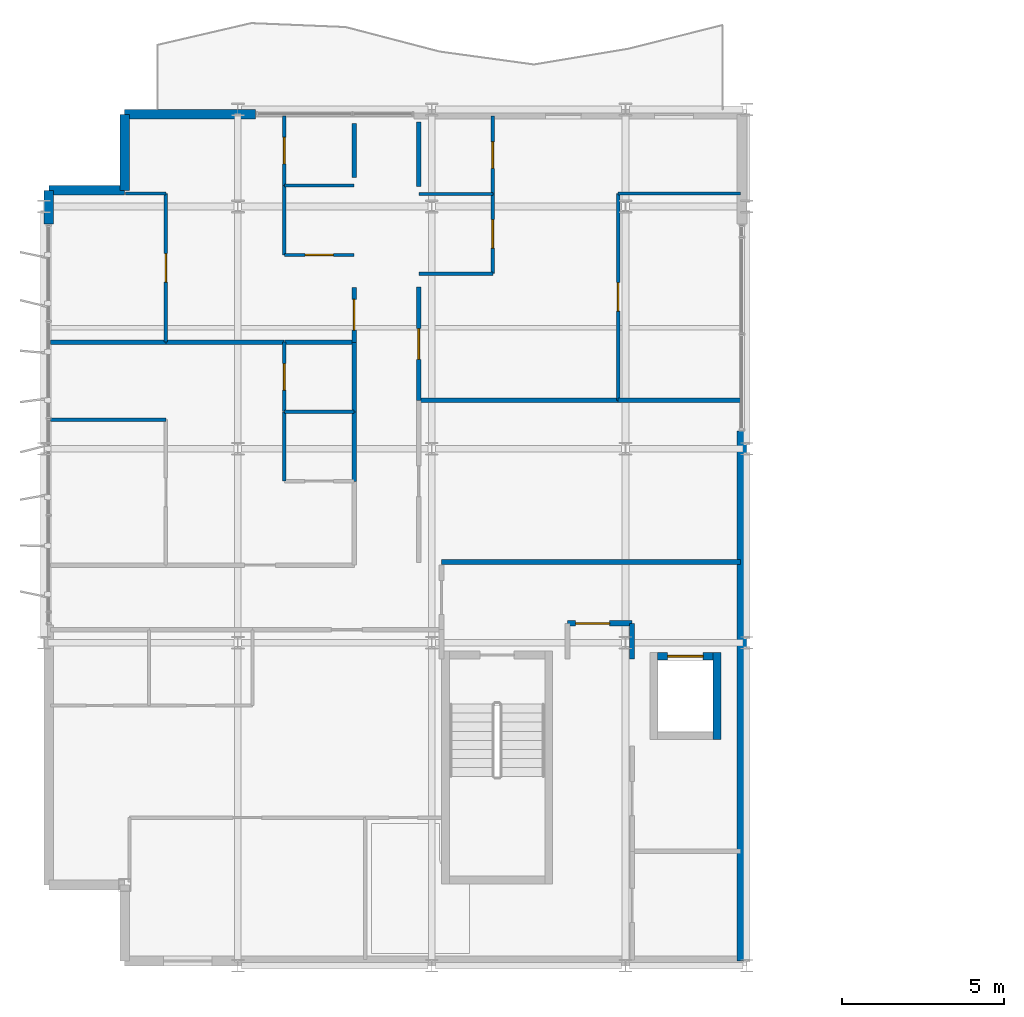
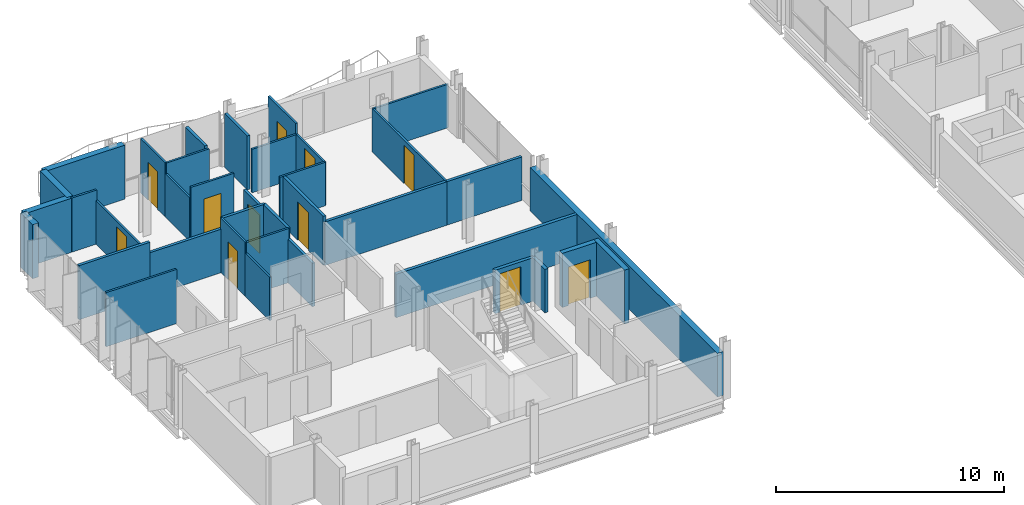
# One storey, part 22 of 29: 37 walls, 11 doors, 11 openings.
"""IFC4 building model written with IfcOpenShell, lengths in metres."""

from ifc_helpers import new_model, si_unit, direction, frame, frame_2d, origin, place, context, subcontext, project, spatial, rectangle, extrude, material, layer, layer_set, type_object, element, fill, save


model = new_model("IFC4")

# Units and contexts
model_context = context("Model", 3, precision=1e-05, world=origin(), true_north=direction((0.0, 1.0)))
body_context = subcontext(model_context, "Body", "Model", "MODEL_VIEW")
ifc_project = project(units=[si_unit("LENGTHUNIT", "METRE"), si_unit("AREAUNIT", "SQUARE_METRE"), si_unit("VOLUMEUNIT", "CUBIC_METRE"), si_unit("PLANEANGLEUNIT", "RADIAN"), si_unit("MASSUNIT", "GRAM", prefix="KILO")], contexts=[model_context])

# Site, building, storey
site_placement = place(None, origin())
site = spatial("IfcSite", under=ifc_project, at=site_placement, CompositionType="ELEMENT")
building_placement = place(site_placement, origin())
building = spatial("IfcBuilding", under=site, at=building_placement, Name="Brevholm Reach", CompositionType="ELEMENT")
storey_placement = place(building_placement, frame((0.0, 0.0, 198.699951171875)))
storey = spatial("IfcBuildingStorey", under=building, at=storey_placement, Name="L60", CompositionType="ELEMENT", Elevation=198.699951171875)

# Wall
ifc_material_1 = material(Name="Concrete C45/55", Category="concrete")
ifc_layer_1 = layer(ifc_material_1, 0.239990234375)
ifc_layer_set_1 = layer_set([ifc_layer_1], Name="Concrete C45/55")
wall_type_1 = type_object("IfcWallType", Name="WAL-COR-240", PredefinedType="SHEAR", material=ifc_layer_set_1)
wall_1_placement = place(storey_placement, frame((20.830078125, 7.0, 0.0), z_axis=(0.0, 0.0, 1.0), x_axis=(0.0, 1.0, 0.0)))
element("IfcWall", 1, at=wall_1_placement, inside=storey, type_object=wall_type_1, Name="L60 Lift FFL-1 Shaft Wall E", PredefinedType="SHEAR", context=body_context, shape_type="SweptSolid", body=[
    extrude(rectangle(XDim=2.699951171875, YDim=0.239990234375, at=frame_2d((1.35009765625, 0.0))), origin(), (0.0, 0.0, 1.0), 2.89013671875),
])

# Wall, opening, door
wall_2_placement = place(storey_placement, frame((18.989990234375, 9.580078125, 0.0), z_axis=(0.0, 0.0, 1.0), x_axis=(1.0, 0.0, 0.0)))
wall_2 = element("IfcWall", 2, at=wall_2_placement, inside=storey, type_object=wall_type_1, Name="L60 Lift FFL-1 Shaft Wall N", PredefinedType="SHEAR", context=body_context, shape_type="SweptSolid", body=[
    extrude(rectangle(XDim=1.719970703125, YDim=0.239990234375, at=frame_2d((0.85986328125, 0.0))), origin(), (0.0, 0.0, 1.0), 2.89013671875),
])
opening_1_placement = place(wall_2_placement, frame((0.31005859375, 0.0, 0.0)))
opening_1 = element("IfcOpeningElement", 3, at=opening_1_placement, cuts=wall_2, Name="Opening LD-FFL-1", PredefinedType="OPENING", context=body_context, shape_type="SweptSolid", body=[
    extrude(rectangle(XDim=1.10009765625, YDim=2.06005859375, at=frame_2d((0.550048828125, 1.030029296875))), frame((0.0, 0.1298828125, 0.0), z_axis=(0.0, -1.0, 0.0), x_axis=(1.0, 0.0, 0.0)), (0.0, 0.0, 1.0), 0.260009765625),
])
ifc_material_2 = material(Name="Brushed Stainless Steel Fire-Rated Sliding Lift Door", Category="steel")
door_type_1 = type_object("IfcDoorType", Name="DOR-LFT-1100", OperationType="NOTDEFINED", PredefinedType="DOOR", material=ifc_material_2)
door_1_placement = place(opening_1_placement, origin())
door_1 = element("IfcDoor", 4, at=door_1_placement, inside=storey, type_object=door_type_1, Name="L60 Lift FFL-1 Sliding Landing Door", OperationType="SLIDING_TO_RIGHT", OverallHeight=2.06005859375, OverallWidth=1.10009765625, PredefinedType="DOOR", context=body_context, shape_type="SweptSolid", body=[
    extrude(rectangle(XDim=1.10009765625, YDim=2.06005859375, at=frame_2d((0.550048828125, 1.030029296875))), frame((0.0, 0.02490234375, 0.0), z_axis=(0.0, -1.0, 0.0), x_axis=(1.0, 0.0, 0.0)), (0.0, 0.0, 1.0), 0.050048828125),
])
fill(opening_1, door_1)

# Walls
ifc_material_3 = material(Name="Concrete C40/50", Category="concrete")
ifc_layer_2 = layer(ifc_material_3, 0.300048828125)
ifc_layer_set_2 = layer_set([ifc_layer_2], Name="Concrete C40/50")
wall_type_2 = type_object("IfcWallType", Name="WAL-EXT-300", PredefinedType="STANDARD", material=ifc_layer_set_2)
for number, where, z_axis, x_axis, name in (
    (5, (2.5, 26.35009765625, 0.0), (0.0, 0.0, 1.0), (0.0, -1.0, 0.0), "L60 Facade Wall WAL-L60-WW-CNW1"),
    (6, (2.5, 24.0, 0.0), (0.0, 0.0, 1.0), (-1.0, 0.0, 0.0), "L60 Facade Wall WAL-L60-WW-CNW2"),
):
    element("IfcWall", number, at=place(storey_placement, frame(where, z_axis=z_axis, x_axis=x_axis)), inside=storey, type_object=wall_type_2, Name=name, PredefinedType="STANDARD", context=body_context, shape_type="SweptSolid", body=[
        extrude(rectangle(XDim=2.35009765625, YDim=0.300048828125, at=frame_2d((1.175048828125, 0.0))), origin(), (0.0, 0.0, 1.0), 2.89013671875),
    ])
wall_3_placement = place(storey_placement, frame((0.14990234375, 24.0, 0.0), z_axis=(0.0, 0.0, 1.0), x_axis=(0.0, -1.0, 0.0)))
element("IfcWall", 7, at=wall_3_placement, inside=storey, type_object=wall_type_2, Name="L60 Facade Wall WAL-L60-WW-WN", PredefinedType="STANDARD", context=body_context, shape_type="SweptSolid", body=[
    extrude(rectangle(XDim=1.050048828125, YDim=0.300048828125, at=frame_2d((0.52490234375, 0.0))), origin(), (0.0, 0.0, 1.0), 2.89013671875),
])
wall_4_placement = place(storey_placement, frame((2.5, 26.35009765625, 0.0), z_axis=(0.0, 0.0, 1.0), x_axis=(1.0, 0.0, 0.0)))
element("IfcWall", 8, at=wall_4_placement, inside=storey, type_object=wall_type_2, Name="L60 Facade Wall WAL-L60-WW-NP1", PredefinedType="STANDARD", context=body_context, shape_type="SweptSolid", body=[
    extrude(rectangle(XDim=4.050048828125, YDim=0.300048828125, at=frame_2d((2.02490234375, 0.0))), origin(), (0.0, 0.0, 1.0), 2.89013671875),
])
wall_5_placement = place(storey_placement, frame((21.60009765625, 0.14990234375, 0.0), z_axis=(0.0, 0.0, 1.0), x_axis=(0.0, 1.0, 0.0)))
element("IfcWall", 9, at=wall_5_placement, inside=storey, type_object=wall_type_2, Name="L60 Facade Wall WAL-L60-VP-WS", PredefinedType="STANDARD", context=body_context, shape_type="SweptSolid", body=[
    extrude(rectangle(XDim=16.400146484375, YDim=0.300048828125, at=frame_2d((8.2001953125, 0.0))), origin(), (0.0, 0.0, 1.0), 2.33203125),
])
ifc_material_4 = material(Name="Moisture-Resistant Acoustic Gypsum Stud Partition 100 mm", Category="gypsum")
ifc_layer_3 = layer(ifc_material_4, 0.10009765625)
ifc_layer_set_3 = layer_set([ifc_layer_3], Name="Moisture-Resistant Acoustic Gypsum Stud Partition 100 mm")
wall_type_3 = type_object("IfcWallType", Name="WAL-PRT-100", PredefinedType="PARTITIONING", material=ifc_layer_set_3)
wall_6_placement = place(storey_placement, frame((7.43798828125, 17.14990234375, 0.0), z_axis=(0.0, 0.0, 1.0), x_axis=(1.0, 0.0, 0.0)))
element("IfcWall", 10, at=wall_6_placement, inside=storey, type_object=wall_type_3, Name="L60 Internal Partition 047", PredefinedType="PARTITIONING", context=body_context, shape_type="SweptSolid", body=[
    extrude(rectangle(XDim=2.157958984375, YDim=0.10009765625, at=frame_2d((1.0791015625, 0.0))), origin(), (0.0, 0.0, 1.0), 2.89013671875),
])

# Wall, opening, door
wall_7_placement = place(storey_placement, frame((7.43798828125, 17.14990234375, 0.0), z_axis=(0.0, 0.0, 1.0), x_axis=(0.0, 1.0, 0.0)))
wall_7 = element("IfcWall", 11, at=wall_7_placement, inside=storey, type_object=wall_type_3, Name="L60 Internal Partition 048", PredefinedType="PARTITIONING", context=body_context, shape_type="SweptSolid", body=[
    extrude(rectangle(XDim=2.150146484375, YDim=0.10009765625, at=frame_2d((1.0751953125, 0.0))), origin(), (0.0, 0.0, 1.0), 2.89013671875),
])
opening_2_placement = place(wall_7_placement, frame((0.6650390625, 0.0, 0.0)))
opening_2 = element("IfcOpeningElement", 12, at=opening_2_placement, cuts=wall_7, Name="Opening ID-03", PredefinedType="OPENING", context=body_context, shape_type="SweptSolid", body=[
    extrude(rectangle(XDim=0.820068359375, YDim=2.02001953125, at=frame_2d((0.41015625, 1.010009765625))), frame((0.0, 0.06005859375, 0.0), z_axis=(0.0, -1.0, 0.0), x_axis=(1.0, 0.0, 0.0)), (0.0, 0.0, 1.0), 0.1201171875),
])
ifc_material_5 = material(Name="Moisture-Resistant Painted Timber Internal Bathroom Door", Category="wood")
door_type_2 = type_object("IfcDoorType", Name="DOR-BATH-820", OperationType="NOTDEFINED", PredefinedType="DOOR", material=ifc_material_5)
door_2_placement = place(opening_2_placement, origin())
door_2 = element("IfcDoor", 13, at=door_2_placement, inside=storey, type_object=door_type_2, Name="L60 Internal Door 023", OperationType="SINGLE_SWING_RIGHT", OverallHeight=2.02001953125, OverallWidth=0.820068359375, PredefinedType="DOOR", context=body_context, shape_type="SweptSolid", body=[
    extrude(rectangle(XDim=0.820068359375, YDim=2.02001953125, at=frame_2d((0.41015625, 1.010009765625))), frame((0.0, 0.02490234375, 0.0), z_axis=(0.0, -1.0, 0.0), x_axis=(1.0, 0.0, 0.0)), (0.0, 0.0, 1.0), 0.050048828125),
])
fill(opening_2, door_2)

# Walls
wall_8_placement = place(storey_placement, frame((7.43798828125, 15.0, 0.0), z_axis=(0.0, 0.0, 1.0), x_axis=(0.0, 1.0, 0.0)))
element("IfcWall", 14, at=wall_8_placement, inside=storey, type_object=wall_type_3, Name="L60 Internal Partition 051", PredefinedType="PARTITIONING", context=body_context, shape_type="SweptSolid", body=[
    extrude(rectangle(XDim=2.14599609375, YDim=0.10009765625, at=frame_2d((1.072998046875, 0.0))), origin(), (0.0, 0.0, 1.0), 2.325439453125),
])
wall_9_placement = place(storey_placement, frame((0.199951171875, 16.89990234375, 0.0), z_axis=(0.0, 0.0, 1.0), x_axis=(1.0, 0.0, 0.0)))
element("IfcWall", 15, at=wall_9_placement, inside=storey, type_object=wall_type_3, Name="L60 Internal Partition 053", PredefinedType="PARTITIONING", context=body_context, shape_type="SweptSolid", body=[
    extrude(rectangle(XDim=3.572021484375, YDim=0.10009765625, at=frame_2d((1.7861328125, 0.0))), origin(), (0.0, 0.0, 1.0), 2.89013671875),
])
wall_10_placement = place(storey_placement, frame((7.43798828125, 24.14990234375, 0.0), z_axis=(0.0, 0.0, 1.0), x_axis=(1.0, 0.0, 0.0)))
element("IfcWall", 16, at=wall_10_placement, inside=storey, type_object=wall_type_3, Name="L60 Internal Partition 056", PredefinedType="PARTITIONING", context=body_context, shape_type="SweptSolid", body=[
    extrude(rectangle(XDim=2.162109375, YDim=0.10009765625, at=frame_2d((1.0810546875, 0.0))), origin(), (0.0, 0.0, 1.0), 2.89013671875),
])

# Wall, opening, door
wall_11_placement = place(storey_placement, frame((7.43798828125, 24.14990234375, 0.0), z_axis=(0.0, 0.0, 1.0), x_axis=(0.0, 1.0, 0.0)))
wall_11 = element("IfcWall", 17, at=wall_11_placement, inside=storey, type_object=wall_type_3, Name="L60 Internal Partition 057", PredefinedType="PARTITIONING", context=body_context, shape_type="SweptSolid", body=[
    extrude(rectangle(XDim=2.150146484375, YDim=0.10009765625, at=frame_2d((1.0751953125, 0.0))), origin(), (0.0, 0.0, 1.0), 2.89013671875),
])
opening_3_placement = place(wall_11_placement, frame((0.6650390625, 0.0, 0.0)))
opening_3 = element("IfcOpeningElement", 18, at=opening_3_placement, cuts=wall_11, Name="Opening ID-03", PredefinedType="OPENING", context=body_context, shape_type="SweptSolid", body=[
    extrude(rectangle(XDim=0.820068359375, YDim=2.02001953125, at=frame_2d((0.41015625, 1.010009765625))), frame((0.0, 0.06005859375, 0.0), z_axis=(0.0, -1.0, 0.0), x_axis=(1.0, 0.0, 0.0)), (0.0, 0.0, 1.0), 0.1201171875),
])
door_3_placement = place(opening_3_placement, origin())
door_3 = element("IfcDoor", 19, at=door_3_placement, inside=storey, type_object=door_type_2, Name="L60 Internal Door 026", OperationType="SINGLE_SWING_LEFT", OverallHeight=2.02001953125, OverallWidth=0.820068359375, PredefinedType="DOOR", context=body_context, shape_type="SweptSolid", body=[
    extrude(rectangle(XDim=0.820068359375, YDim=2.02001953125, at=frame_2d((0.41015625, 1.010009765625))), frame((0.0, 0.02490234375, 0.0), z_axis=(0.0, -1.0, 0.0), x_axis=(1.0, 0.0, 0.0)), (0.0, 0.0, 1.0), 0.050048828125),
])
fill(opening_3, door_3)

wall_12_placement = place(storey_placement, frame((7.43798828125, 22.0, 0.0), z_axis=(0.0, 0.0, 1.0), x_axis=(1.0, 0.0, 0.0)))
wall_12 = element("IfcWall", 20, at=wall_12_placement, inside=storey, type_object=wall_type_3, Name="L60 Internal Partition 058", PredefinedType="PARTITIONING", context=body_context, shape_type="SweptSolid", body=[
    extrude(rectangle(XDim=2.162109375, YDim=0.10009765625, at=frame_2d((1.0810546875, 0.0))), origin(), (0.0, 0.0, 1.0), 2.89013671875),
])
opening_4_placement = place(wall_12_placement, frame((0.64111328125, 0.0, 0.0)))
opening_4 = element("IfcOpeningElement", 21, at=opening_4_placement, cuts=wall_12, Name="Opening ID-01", PredefinedType="OPENING", context=body_context, shape_type="SweptSolid", body=[
    extrude(rectangle(XDim=0.8798828125, YDim=2.0400390625, at=frame_2d((0.43994140625, 1.02001953125))), frame((0.0, 0.06005859375, 0.0), z_axis=(0.0, -1.0, 0.0), x_axis=(1.0, 0.0, 0.0)), (0.0, 0.0, 1.0), 0.1201171875),
])
ifc_material_6 = material(Name="Lacquered Ash Solid-Core Acoustic Internal Door", Category="timber")
door_type_3 = type_object("IfcDoorType", Name="DOR-INT-880", OperationType="NOTDEFINED", PredefinedType="DOOR", material=ifc_material_6)
door_4_placement = place(opening_4_placement, origin())
door_4 = element("IfcDoor", 22, at=door_4_placement, inside=storey, type_object=door_type_3, Name="L60 Internal Door 027", OperationType="SINGLE_SWING_RIGHT", OverallHeight=2.0400390625, OverallWidth=0.8798828125, PredefinedType="DOOR", context=body_context, shape_type="SweptSolid", body=[
    extrude(rectangle(XDim=0.8798828125, YDim=2.0400390625, at=frame_2d((0.43994140625, 1.02001953125))), frame((0.0, 0.02490234375, 0.0), z_axis=(0.0, -1.0, 0.0), x_axis=(1.0, 0.0, 0.0)), (0.0, 0.0, 1.0), 0.050048828125),
])
fill(opening_4, door_4)

# Walls
wall_13_placement = place(storey_placement, frame((7.43798828125, 22.0, 0.0), z_axis=(0.0, 0.0, 1.0), x_axis=(0.0, 1.0, 0.0)))
element("IfcWall", 23, at=wall_13_placement, inside=storey, type_object=wall_type_3, Name="L60 Internal Partition 059", PredefinedType="PARTITIONING", context=body_context, shape_type="SweptSolid", body=[
    extrude(rectangle(XDim=2.14599609375, YDim=0.10009765625, at=frame_2d((1.072998046875, 0.0))), origin(), (0.0, 0.0, 1.0), 2.325439453125),
])
wall_14_placement = place(storey_placement, frame((2.52001953125, 23.89990234375, 0.0), z_axis=(0.0, 0.0, 1.0), x_axis=(1.0, 0.0, 0.0)))
element("IfcWall", 24, at=wall_14_placement, inside=storey, type_object=wall_type_3, Name="L60 Internal Partition 060", PredefinedType="PARTITIONING", context=body_context, shape_type="SweptSolid", body=[
    extrude(rectangle(XDim=1.251953125, YDim=0.10009765625, at=frame_2d((0.6259765625, 0.0))), origin(), (0.0, 0.0, 1.0), 2.89013671875),
])

# Wall, opening, door
wall_15_placement = place(storey_placement, frame((3.77197265625, 19.303955078125, 0.0), z_axis=(0.0, 0.0, 1.0), x_axis=(0.0, 1.0, 0.0)))
wall_15 = element("IfcWall", 25, at=wall_15_placement, inside=storey, type_object=wall_type_3, Name="L60 Internal Partition 061", PredefinedType="PARTITIONING", context=body_context, shape_type="SweptSolid", body=[
    extrude(rectangle(XDim=4.595947265625, YDim=0.10009765625, at=frame_2d((2.2978515625, 0.0))), origin(), (0.0, 0.0, 1.0), 2.325439453125),
])
opening_5_placement = place(wall_15_placement, frame((1.85791015625, 0.0, 0.0)))
opening_5 = element("IfcOpeningElement", 26, at=opening_5_placement, cuts=wall_15, Name="Opening ID-01", PredefinedType="OPENING", context=body_context, shape_type="SweptSolid", body=[
    extrude(rectangle(XDim=0.8798828125, YDim=2.0400390625, at=frame_2d((0.43994140625, 1.02001953125))), frame((0.0, 0.06005859375, 0.0), z_axis=(0.0, -1.0, 0.0), x_axis=(1.0, 0.0, 0.0)), (0.0, 0.0, 1.0), 0.1201171875),
])
door_5_placement = place(opening_5_placement, origin())
door_5 = element("IfcDoor", 27, at=door_5_placement, inside=storey, type_object=door_type_3, Name="L60 Internal Door 028", OperationType="SINGLE_SWING_LEFT", OverallHeight=2.0400390625, OverallWidth=0.8798828125, PredefinedType="DOOR", context=body_context, shape_type="SweptSolid", body=[
    extrude(rectangle(XDim=0.8798828125, YDim=2.0400390625, at=frame_2d((0.43994140625, 1.02001953125))), frame((0.0, 0.02490234375, 0.0), z_axis=(0.0, -1.0, 0.0), x_axis=(1.0, 0.0, 0.0)), (0.0, 0.0, 1.0), 0.050048828125),
])
fill(opening_5, door_5)

# Wall
wall_16_placement = place(storey_placement, frame((11.60009765625, 23.884033203125, 0.0), z_axis=(0.0, 0.0, 1.0), x_axis=(1.0, 0.0, 0.0)))
element("IfcWall", 28, at=wall_16_placement, inside=storey, type_object=wall_type_3, Name="L60 Internal Partition 062", PredefinedType="PARTITIONING", context=body_context, shape_type="SweptSolid", body=[
    extrude(rectangle(XDim=2.288818359375, YDim=0.10009765625, at=frame_2d((1.14453125, 0.0))), origin(), (0.0, 0.0, 1.0), 2.325439453125),
])

# Wall, opening, door
wall_17_placement = place(storey_placement, frame((13.888916015625, 23.884033203125, 0.0), z_axis=(0.0, 0.0, 1.0), x_axis=(0.0, 1.0, 0.0)))
wall_17 = element("IfcWall", 29, at=wall_17_placement, inside=storey, type_object=wall_type_3, Name="L60 Internal Partition 063", PredefinedType="PARTITIONING", context=body_context, shape_type="SweptSolid", body=[
    extrude(rectangle(XDim=2.416015625, YDim=0.10009765625, at=frame_2d((1.2080078125, 0.0))), origin(), (0.0, 0.0, 1.0), 2.89013671875),
])
opening_6_placement = place(wall_17_placement, frame((0.798095703125, 0.0, 0.0)))
opening_6 = element("IfcOpeningElement", 30, at=opening_6_placement, cuts=wall_17, Name="Opening ID-03", PredefinedType="OPENING", context=body_context, shape_type="SweptSolid", body=[
    extrude(rectangle(XDim=0.820068359375, YDim=2.02001953125, at=frame_2d((0.41015625, 1.010009765625))), frame((0.0, 0.06005859375, 0.0), z_axis=(0.0, -1.0, 0.0), x_axis=(1.0, 0.0, 0.0)), (0.0, 0.0, 1.0), 0.1201171875),
])
door_6_placement = place(opening_6_placement, origin())
door_6 = element("IfcDoor", 31, at=door_6_placement, inside=storey, type_object=door_type_2, Name="L60 Internal Door 029", OperationType="SINGLE_SWING_RIGHT", OverallHeight=2.02001953125, OverallWidth=0.820068359375, PredefinedType="DOOR", context=body_context, shape_type="SweptSolid", body=[
    extrude(rectangle(XDim=0.820068359375, YDim=2.02001953125, at=frame_2d((0.41015625, 1.010009765625))), frame((0.0, 0.02490234375, 0.0), z_axis=(0.0, -1.0, 0.0), x_axis=(1.0, 0.0, 0.0)), (0.0, 0.0, 1.0), 0.050048828125),
])
fill(opening_6, door_6)

# Wall
wall_18_placement = place(storey_placement, frame((11.60009765625, 21.419921875, 0.0), z_axis=(0.0, 0.0, 1.0), x_axis=(1.0, 0.0, 0.0)))
element("IfcWall", 32, at=wall_18_placement, inside=storey, type_object=wall_type_3, Name="L60 Internal Partition 064", PredefinedType="PARTITIONING", context=body_context, shape_type="SweptSolid", body=[
    extrude(rectangle(XDim=2.288818359375, YDim=0.10009765625, at=frame_2d((1.14453125, 0.0))), origin(), (0.0, 0.0, 1.0), 2.325439453125),
])

# Wall, opening, door
wall_19_placement = place(storey_placement, frame((13.888916015625, 21.419921875, 0.0), z_axis=(0.0, 0.0, 1.0), x_axis=(0.0, 1.0, 0.0)))
wall_19 = element("IfcWall", 33, at=wall_19_placement, inside=storey, type_object=wall_type_3, Name="L60 Internal Partition 065", PredefinedType="PARTITIONING", context=body_context, shape_type="SweptSolid", body=[
    extrude(rectangle(XDim=2.4599609375, YDim=0.10009765625, at=frame_2d((1.22998046875, 0.0))), origin(), (0.0, 0.0, 1.0), 2.325439453125),
])
opening_7_placement = place(wall_19_placement, frame((0.7900390625, 0.0, 0.0)))
opening_7 = element("IfcOpeningElement", 34, at=opening_7_placement, cuts=wall_19, Name="Opening ID-01", PredefinedType="OPENING", context=body_context, shape_type="SweptSolid", body=[
    extrude(rectangle(XDim=0.8798828125, YDim=2.0400390625, at=frame_2d((0.43994140625, 1.02001953125))), frame((0.0, 0.06005859375, 0.0), z_axis=(0.0, -1.0, 0.0), x_axis=(1.0, 0.0, 0.0)), (0.0, 0.0, 1.0), 0.1201171875),
])
door_7_placement = place(opening_7_placement, origin())
door_7 = element("IfcDoor", 35, at=door_7_placement, inside=storey, type_object=door_type_3, Name="L60 Internal Door 030", OperationType="SINGLE_SWING_LEFT", OverallHeight=2.0400390625, OverallWidth=0.8798828125, PredefinedType="DOOR", context=body_context, shape_type="SweptSolid", body=[
    extrude(rectangle(XDim=0.8798828125, YDim=2.0400390625, at=frame_2d((0.43994140625, 1.02001953125))), frame((0.0, 0.02490234375, 0.0), z_axis=(0.0, -1.0, 0.0), x_axis=(1.0, 0.0, 0.0)), (0.0, 0.0, 1.0), 0.050048828125),
])
fill(opening_7, door_7)

# Wall
wall_20_placement = place(storey_placement, frame((17.76904296875, 23.89990234375, 0.0), z_axis=(0.0, 0.0, 1.0), x_axis=(1.0, 0.0, 0.0)))
element("IfcWall", 36, at=wall_20_placement, inside=storey, type_object=wall_type_3, Name="L60 Internal Partition 066", PredefinedType="PARTITIONING", context=body_context, shape_type="SweptSolid", body=[
    extrude(rectangle(XDim=3.781005859375, YDim=0.10009765625, at=frame_2d((1.890625, 0.0))), origin(), (0.0, 0.0, 1.0), 2.325439453125),
])

# Wall, opening, door
wall_21_placement = place(storey_placement, frame((17.76904296875, 17.5, 0.0), z_axis=(0.0, 0.0, 1.0), x_axis=(0.0, 1.0, 0.0)))
wall_21 = element("IfcWall", 37, at=wall_21_placement, inside=storey, type_object=wall_type_3, Name="L60 Internal Partition 067", PredefinedType="PARTITIONING", context=body_context, shape_type="SweptSolid", body=[
    extrude(rectangle(XDim=6.39990234375, YDim=0.10009765625, at=frame_2d((3.199951171875, 0.0))), origin(), (0.0, 0.0, 1.0), 2.325439453125),
])
opening_8_placement = place(wall_21_placement, frame((2.760009765625, 0.0, 0.0)))
opening_8 = element("IfcOpeningElement", 38, at=opening_8_placement, cuts=wall_21, Name="Opening ID-01", PredefinedType="OPENING", context=body_context, shape_type="SweptSolid", body=[
    extrude(rectangle(XDim=0.8798828125, YDim=2.0400390625, at=frame_2d((0.43994140625, 1.02001953125))), frame((0.0, 0.06005859375, 0.0), z_axis=(0.0, -1.0, 0.0), x_axis=(1.0, 0.0, 0.0)), (0.0, 0.0, 1.0), 0.1201171875),
])
door_8_placement = place(opening_8_placement, origin())
door_8 = element("IfcDoor", 39, at=door_8_placement, inside=storey, type_object=door_type_3, Name="L60 Internal Door 031", OperationType="SINGLE_SWING_RIGHT", OverallHeight=2.0400390625, OverallWidth=0.8798828125, PredefinedType="DOOR", context=body_context, shape_type="SweptSolid", body=[
    extrude(rectangle(XDim=0.8798828125, YDim=2.0400390625, at=frame_2d((0.43994140625, 1.02001953125))), frame((0.0, 0.02490234375, 0.0), z_axis=(0.0, -1.0, 0.0), x_axis=(1.0, 0.0, 0.0)), (0.0, 0.0, 1.0), 0.050048828125),
])
fill(opening_8, door_8)

# Walls
ifc_material_7 = material(Name="Twin-Stud Acoustic Fire-Rated Gypsum Partition 140 mm", Category="gypsum")
ifc_layer_4 = layer(ifc_material_7, 0.139892578125)
ifc_layer_set_4 = layer_set([ifc_layer_4], Name="Twin-Stud Acoustic Fire-Rated Gypsum Partition 140 mm")
wall_type_4 = type_object("IfcWallType", Name="WAL-PRT-140", PredefinedType="PARTITIONING", material=ifc_layer_set_4)
wall_22_placement = place(storey_placement, frame((9.60009765625, 17.138671875, 0.0), z_axis=(0.0, 0.0, 1.0), x_axis=(0.0, 1.0, 0.0)))
element("IfcWall", 40, at=wall_22_placement, inside=storey, type_object=wall_type_4, Name="L60 Internal Partition 021", PredefinedType="PARTITIONING", context=body_context, shape_type="SweptSolid", body=[
    extrude(rectangle(XDim=2.172607421875, YDim=0.139892578125, at=frame_2d((1.08642578125, 0.0))), origin(), (0.0, 0.0, 1.0), 2.89013671875),
])
wall_23_placement = place(storey_placement, frame((9.60009765625, 14.98876953125, 0.0), z_axis=(0.0, 0.0, 1.0), x_axis=(0.0, 1.0, 0.0)))
element("IfcWall", 41, at=wall_23_placement, inside=storey, type_object=wall_type_4, Name="L60 Internal Partition 022", PredefinedType="PARTITIONING", context=body_context, shape_type="SweptSolid", body=[
    extrude(rectangle(XDim=2.16845703125, YDim=0.139892578125, at=frame_2d((1.084228515625, 0.0))), origin(), (0.0, 0.0, 1.0), 2.325439453125),
])

# Wall, opening, door
wall_24_placement = place(storey_placement, frame((9.60009765625, 19.292724609375, 0.0), z_axis=(0.0, 0.0, 1.0), x_axis=(0.0, 1.0, 0.0)))
wall_24 = element("IfcWall", 42, at=wall_24_placement, inside=storey, type_object=wall_type_4, Name="L60 Internal Partition 024", PredefinedType="PARTITIONING", context=body_context, shape_type="SweptSolid", body=[
    extrude(rectangle(XDim=1.707275390625, YDim=0.139892578125, at=frame_2d((0.853515625, 0.0))), origin(), (0.0, 0.0, 1.0), 2.61376953125),
])
opening_9_placement = place(wall_24_placement, frame((0.378662109375, 0.0, 0.0)))
opening_9 = element("IfcOpeningElement", 43, at=opening_9_placement, cuts=wall_24, Name="Opening ID-30", PredefinedType="OPENING", context=body_context, shape_type="SweptSolid", body=[
    extrude(rectangle(XDim=0.949951171875, YDim=2.050048828125, at=frame_2d((0.47509765625, 1.02490234375))), frame((0.0, 0.079833984375, 0.0), z_axis=(0.0, -1.0, 0.0), x_axis=(1.0, 0.0, 0.0)), (0.0, 0.0, 1.0), 0.159912109375),
])
ifc_material_8 = material(Name="European Oak Veneered Solid-Core Fire Entrance Door", Category="timber")
door_type_4 = type_object("IfcDoorType", Name="DOR-FLT-FD30S", OperationType="NOTDEFINED", PredefinedType="DOOR", material=ifc_material_8)
door_9_placement = place(opening_9_placement, origin())
door_9 = element("IfcDoor", 44, at=door_9_placement, inside=storey, type_object=door_type_4, Name="L60 Internal Door 011", OperationType="SINGLE_SWING_RIGHT", OverallHeight=2.050048828125, OverallWidth=0.949951171875, PredefinedType="DOOR", context=body_context, shape_type="SweptSolid", body=[
    extrude(rectangle(XDim=0.949951171875, YDim=2.050048828125, at=frame_2d((0.47509765625, 1.02490234375))), frame((0.0, 0.02490234375, 0.0), z_axis=(0.0, -1.0, 0.0), x_axis=(1.0, 0.0, 0.0)), (0.0, 0.0, 1.0), 0.050048828125),
])
fill(opening_9, door_9)

wall_25_placement = place(storey_placement, frame((11.60009765625, 17.48876953125, 0.0), z_axis=(0.0, 0.0, 1.0), x_axis=(0.0, 1.0, 0.0)))
wall_25 = element("IfcWall", 45, at=wall_25_placement, inside=storey, type_object=wall_type_4, Name="L60 Internal Partition 025", PredefinedType="PARTITIONING", context=body_context, shape_type="SweptSolid", body=[
    extrude(rectangle(XDim=3.51123046875, YDim=0.139892578125, at=frame_2d((1.755615234375, 0.0))), origin(), (0.0, 0.0, 1.0), 2.61376953125),
])
opening_10_placement = place(wall_25_placement, frame((1.280517578125, 0.0, 0.0)))
opening_10 = element("IfcOpeningElement", 46, at=opening_10_placement, cuts=wall_25, Name="Opening ID-30", PredefinedType="OPENING", context=body_context, shape_type="SweptSolid", body=[
    extrude(rectangle(XDim=0.949951171875, YDim=2.050048828125, at=frame_2d((0.47509765625, 1.02490234375))), frame((0.0, 0.079833984375, 0.0), z_axis=(0.0, -1.0, 0.0), x_axis=(1.0, 0.0, 0.0)), (0.0, 0.0, 1.0), 0.159912109375),
])
door_10_placement = place(opening_10_placement, origin())
door_10 = element("IfcDoor", 47, at=door_10_placement, inside=storey, type_object=door_type_4, Name="L60 Internal Door 012", OperationType="SINGLE_SWING_LEFT", OverallHeight=2.050048828125, OverallWidth=0.949951171875, PredefinedType="DOOR", context=body_context, shape_type="SweptSolid", body=[
    extrude(rectangle(XDim=0.949951171875, YDim=2.050048828125, at=frame_2d((0.47509765625, 1.02490234375))), frame((0.0, 0.02490234375, 0.0), z_axis=(0.0, -1.0, 0.0), x_axis=(1.0, 0.0, 0.0)), (0.0, 0.0, 1.0), 0.050048828125),
])
fill(opening_10, door_10)

# Walls
wall_26_placement = place(storey_placement, frame((7.43798828125, 19.300048828125, 0.0), z_axis=(0.0, 0.0, 1.0), x_axis=(1.0, 0.0, 0.0)))
element("IfcWall", 48, at=wall_26_placement, inside=storey, type_object=wall_type_4, Name="L60 Internal Partition 049", PredefinedType="PARTITIONING", context=body_context, shape_type="SweptSolid", body=[
    extrude(rectangle(XDim=2.157958984375, YDim=0.139892578125, at=frame_2d((1.0791015625, 0.0))), origin(), (0.0, 0.0, 1.0), 2.89013671875),
])
wall_27_placement = place(storey_placement, frame((0.199951171875, 19.300048828125, 0.0), z_axis=(0.0, 0.0, 1.0), x_axis=(1.0, 0.0, 0.0)))
element("IfcWall", 49, at=wall_27_placement, inside=storey, type_object=wall_type_4, Name="L60 Internal Partition 054", PredefinedType="PARTITIONING", context=body_context, shape_type="SweptSolid", body=[
    extrude(rectangle(XDim=3.583251953125, YDim=0.139892578125, at=frame_2d((1.79150390625, 0.0))), origin(), (0.0, 0.0, 1.0), 2.89013671875),
])
wall_28_placement = place(storey_placement, frame((3.7646484375, 19.300048828125, 0.0), z_axis=(0.0, 0.0, 1.0), x_axis=(1.0, 0.0, 0.0)))
element("IfcWall", 50, at=wall_28_placement, inside=storey, type_object=wall_type_4, Name="L60 Internal Partition 055", PredefinedType="PARTITIONING", context=body_context, shape_type="SweptSolid", body=[
    extrude(rectangle(XDim=3.66943359375, YDim=0.139892578125, at=frame_2d((1.834716796875, 0.0))), origin(), (0.0, 0.0, 1.0), 2.325439453125),
])
wall_29_placement = place(storey_placement, frame((17.76904296875, 17.5, 0.0), z_axis=(0.0, 0.0, 1.0), x_axis=(1.0, 0.0, 0.0)))
element("IfcWall", 51, at=wall_29_placement, inside=storey, type_object=wall_type_4, Name="L60 Internal Partition 068", PredefinedType="PARTITIONING", context=body_context, shape_type="SweptSolid", body=[
    extrude(rectangle(XDim=3.781005859375, YDim=0.139892578125, at=frame_2d((1.890625, 0.0))), origin(), (0.0, 0.0, 1.0), 2.325439453125),
])
wall_30_placement = place(storey_placement, frame((11.60400390625, 17.5, 0.0), z_axis=(0.0, 0.0, 1.0), x_axis=(1.0, 0.0, 0.0)))
element("IfcWall", 52, at=wall_30_placement, inside=storey, type_object=wall_type_4, Name="L60 Internal Partition 069", PredefinedType="PARTITIONING", context=body_context, shape_type="SweptSolid", body=[
    extrude(rectangle(XDim=6.160888671875, YDim=0.139892578125, at=frame_2d((3.08056640625, 0.0))), origin(), (0.0, 0.0, 1.0), 2.325439453125),
])
wall_31_placement = place(storey_placement, frame((9.60009765625, 24.389892578125, 0.0), z_axis=(0.0, 0.0, 1.0), x_axis=(0.0, 1.0, 0.0)))
element("IfcWall", 53, at=wall_31_placement, inside=storey, type_object=wall_type_4, Name="L60 Internal Partition 099", PredefinedType="PARTITIONING", context=body_context, shape_type="SweptSolid", body=[
    extrude(rectangle(XDim=1.68017578125, YDim=0.139892578125, at=frame_2d((0.840087890625, 0.0))), origin(), (0.0, 0.0, 1.0), 2.89013671875),
])
wall_32_placement = place(storey_placement, frame((11.60009765625, 24.1240234375, 0.0), z_axis=(0.0, 0.0, 1.0), x_axis=(0.0, 1.0, 0.0)))
element("IfcWall", 54, at=wall_32_placement, inside=storey, type_object=wall_type_4, Name="L60 Internal Partition 100", PredefinedType="PARTITIONING", context=body_context, shape_type="SweptSolid", body=[
    extrude(rectangle(XDim=1.986083984375, YDim=0.139892578125, at=frame_2d((0.9931640625, 0.0))), origin(), (0.0, 0.0, 1.0), 2.89013671875),
])
ifc_material_9 = material(Name="Twin-Frame Fire-Rated Gypsum Board and Mineral Wool 160 mm", Category="gypsum")
ifc_layer_5 = layer(ifc_material_9, 0.159912109375)
ifc_layer_set_5 = layer_set([ifc_layer_5], Name="Twin-Frame Fire-Rated Gypsum Board and Mineral Wool 160 mm")
wall_type_5 = type_object("IfcWallType", Name="WAL-PRT-160", PredefinedType="PARTITIONING", material=ifc_layer_set_5)
wall_33_placement = place(storey_placement, frame((18.199951171875, 9.48876953125, 0.0), z_axis=(0.0, 0.0, 1.0), x_axis=(0.0, 1.0, 0.0)))
element("IfcWall", 55, at=wall_33_placement, inside=storey, type_object=wall_type_5, Name="L60 Internal Partition 004", PredefinedType="PARTITIONING", context=body_context, shape_type="SweptSolid", body=[
    extrude(rectangle(XDim=1.111328125, YDim=0.159912109375, at=frame_2d((0.5556640625, 0.0))), origin(), (0.0, 0.0, 1.0), 2.325439453125),
])

# Wall, opening, door
wall_34_placement = place(storey_placement, frame((16.199951171875, 10.60009765625, 0.0), z_axis=(0.0, 0.0, 1.0), x_axis=(1.0, 0.0, 0.0)))
wall_34 = element("IfcWall", 56, at=wall_34_placement, inside=storey, type_object=wall_type_5, Name="L60 Internal Partition 005", PredefinedType="PARTITIONING", context=body_context, shape_type="SweptSolid", body=[
    extrude(rectangle(XDim=2.0, YDim=0.159912109375, at=frame_2d((1.0, 0.0))), origin(), (0.0, 0.0, 1.0), 2.325439453125),
])
opening_11_placement = place(wall_34_placement, frame((0.2548828125, 0.0, 0.0)))
opening_11 = element("IfcOpeningElement", 57, at=opening_11_placement, cuts=wall_34, Name="Opening FD-01", PredefinedType="OPENING", context=body_context, shape_type="SweptSolid", body=[
    extrude(rectangle(XDim=1.050048828125, YDim=2.06005859375, at=frame_2d((0.52490234375, 1.030029296875))), frame((0.0, 0.08984375, 0.0), z_axis=(0.0, -1.0, 0.0), x_axis=(1.0, 0.0, 0.0)), (0.0, 0.0, 1.0), 0.179931640625),
])
ifc_material_10 = material(Name="Hardwood-Lipped Steel-Core Fire and Smoke Door", Category="steel")
door_type_5 = type_object("IfcDoorType", Name="DOR-INT-FD60S", OperationType="NOTDEFINED", PredefinedType="DOOR", material=ifc_material_10)
door_11_placement = place(opening_11_placement, origin())
door_11 = element("IfcDoor", 58, at=door_11_placement, inside=storey, type_object=door_type_5, Name="L60 Internal Door 003", OperationType="SINGLE_SWING_RIGHT", OverallHeight=2.06005859375, OverallWidth=1.050048828125, PredefinedType="DOOR", context=body_context, shape_type="SweptSolid", body=[
    extrude(rectangle(XDim=1.050048828125, YDim=2.06005859375, at=frame_2d((0.52490234375, 1.030029296875))), frame((0.0, 0.02490234375, 0.0), z_axis=(0.0, -1.0, 0.0), x_axis=(1.0, 0.0, 0.0)), (0.0, 0.0, 1.0), 0.050048828125),
])
fill(opening_11, door_11)

# Wall
wall_35_placement = place(storey_placement, frame((12.300048828125, 12.5, 0.0), z_axis=(0.0, 0.0, 1.0), x_axis=(1.0, 0.0, 0.0)))
element("IfcWall", 59, at=wall_35_placement, inside=storey, type_object=wall_type_5, Name="L60 Internal Partition 015", PredefinedType="PARTITIONING", context=body_context, shape_type="SweptSolid", body=[
    extrude(rectangle(XDim=9.26123046875, YDim=0.159912109375, at=frame_2d((4.630615234375, 0.0))), origin(), (0.0, 0.0, 1.0), 2.325439453125),
])

save(model, "model.ifc")
